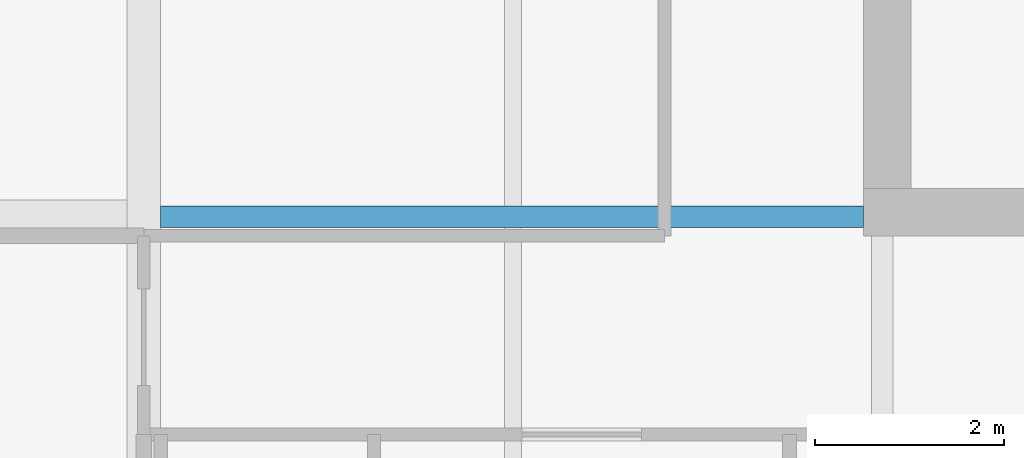
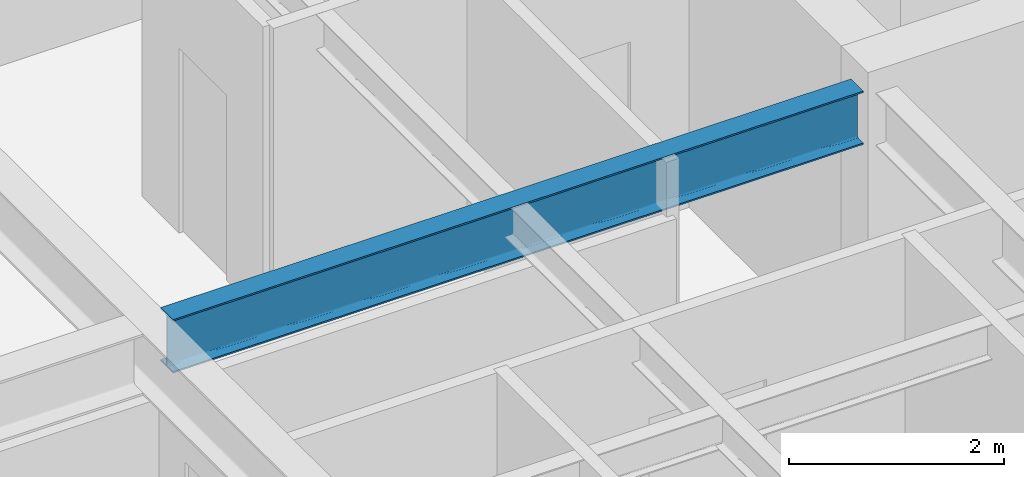
# One storey, part 8 of 32: 1 beam.
"""IFC4 building model written with IfcOpenShell, lengths in metres."""

import ifcopenshell
import ifcopenshell.guid

model = None  # the IFC model being written
_history = None  # IfcOwnerHistory: only IFC2X3 demands one
_inside = {}  # id of a spatial element -> (the spatial element, [elements in it])
_under = {}  # id of a project, library or spatial element -> (it, [spatial elements below it])
_declared = {}  # id of a project -> (the project, [libraries it declares])
_typed = {}  # id of a type object -> (the type object, [elements of that type])
_made_of = {}  # id of a material, layer set ... -> (it, [elements and type objects made of it])


def new_model(schema):
    """Start an empty IFC model of exactly this schema.

    Asked for "IFC4X3", IfcOpenShell would pick the latest addendum, in which some entities
    have other attributes; the version numbers below select the first issue.
    IFC2X3 requires an IfcOwnerHistory on every rooted entity: one is made here for all.
    """
    global model, _history
    if schema == "IFC4X3":
        model = ifcopenshell.file(schema_version=(4, 3, 0, 0))
    else:
        model = ifcopenshell.file(schema=schema)
    _inside.clear()
    _under.clear()
    _declared.clear()
    _typed.clear()
    _made_of.clear()
    _history = None
    if model.schema == "IFC2X3":
        org = make("IfcOrganization", Name="unknown")
        user = make(
            "IfcPersonAndOrganization",
            ThePerson=make("IfcPerson", FamilyName="unknown"),
            TheOrganization=org,
        )
        app = make(
            "IfcApplication",
            ApplicationDeveloper=org,
            Version="unknown",
            ApplicationFullName="unknown",
            ApplicationIdentifier="unknown",
        )
        _history = make(
            "IfcOwnerHistory",
            OwningUser=user,
            OwningApplication=app,
            ChangeAction="ADDED",
            CreationDate=0,
        )
    return model


def make(cls, **values):
    """One entity of the class cls with the attributes given. An attribute that is None is left unset."""
    return model.create_entity(
        cls, **{name: value for name, value in values.items() if value is not None}
    )


def rooted(cls, **values):
    """An entity with a GlobalId (a new one), such as an element, a storey or a relation."""
    return make(cls, GlobalId=ifcopenshell.guid.new(), OwnerHistory=_history, **values)


def si_unit(unit_type, name, prefix=None):
    """IfcSIUnit, for example si_unit("LENGTHUNIT", "METRE", prefix="MILLI")."""
    return make("IfcSIUnit", UnitType=unit_type, Prefix=prefix, Name=name)


def assignment(units):
    """IfcUnitAssignment: the units of a project."""
    return None if units is None else make("IfcUnitAssignment", Units=units)


def point(xyz):
    """IfcCartesianPoint."""
    return None if xyz is None else make("IfcCartesianPoint", Coordinates=xyz)


def direction(xyz):
    """IfcDirection."""
    return None if xyz is None else make("IfcDirection", DirectionRatios=xyz)


def frame(location, z_axis=None, x_axis=None):
    """IfcAxis2Placement3D, a coordinate frame: its origin and axes. An axis left out is left unset."""
    return make(
        "IfcAxis2Placement3D",
        Location=point(location),
        Axis=direction(z_axis),
        RefDirection=direction(x_axis),
    )


def frame_2d(location, x_axis=None):
    """IfcAxis2Placement2D, a coordinate frame in the plane: its origin and x axis."""
    return make(
        "IfcAxis2Placement2D", Location=point(location), RefDirection=direction(x_axis)
    )


def origin():
    """The frame at (0, 0, 0) with its axes left unset."""
    return frame((0.0, 0.0, 0.0))


def origin_2d():
    """The frame at (0, 0) in the plane with its x axis left unset."""
    return frame_2d((0.0, 0.0))


def place(relative_to, where):
    """IfcLocalPlacement: puts the frame where relative to a parent placement (None: the world)."""
    return make(
        "IfcLocalPlacement", PlacementRelTo=relative_to, RelativePlacement=where
    )


def context(
    kind, dimensions, precision=None, world=None, true_north=None, identifier=None
):
    """IfcGeometricRepresentationContext, for example the 3D "Model" context."""
    return make(
        "IfcGeometricRepresentationContext",
        ContextIdentifier=identifier,
        ContextType=kind,
        CoordinateSpaceDimension=dimensions,
        Precision=precision,
        WorldCoordinateSystem=world,
        TrueNorth=true_north,
    )


def subcontext(parent, identifier, kind, view, scale=None):
    """IfcGeometricRepresentationSubContext, for example "Body" below "Model"."""
    return make(
        "IfcGeometricRepresentationSubContext",
        ContextIdentifier=identifier,
        ContextType=kind,
        ParentContext=parent,
        TargetScale=scale,
        TargetView=view,
    )


def project(units=None, contexts=None):
    """IfcProject with its units and contexts."""
    return rooted(
        "IfcProject",
        Name="project",
        RepresentationContexts=contexts,
        UnitsInContext=assignment(units),
    )


def spatial(cls, under=None, at=None, **own):
    """A site, building, storey or space (cls), placed at a placement, below another one or the project."""
    s = rooted(cls, ObjectPlacement=at, **own)
    if under is not None:
        _under.setdefault(under.id(), (under, []))[1].append(s)
    return s


def profile(cls, at=None, kind="AREA", **sizes):
    """A parametric profile (cls). Its sizes go by their IFC names, for example OverallWidth=200.0."""
    return make(cls, ProfileType=kind, Position=at, **sizes)


def i_section(**sizes):
    """IfcIShapeProfileDef."""
    return profile("IfcIShapeProfileDef", **sizes)


def extrude(swept, where, along, depth):
    """IfcExtrudedAreaSolid: the profile swept, set in the frame where, extruded along a direction by depth."""
    return make(
        "IfcExtrudedAreaSolid",
        SweptArea=swept,
        Position=where,
        ExtrudedDirection=direction(along),
        Depth=depth,
    )


def shape(context_of_items, identifier, shape_type, items):
    """IfcShapeRepresentation: the items that make up one representation, for example the "Body"."""
    return make(
        "IfcShapeRepresentation",
        ContextOfItems=context_of_items,
        RepresentationIdentifier=identifier,
        RepresentationType=shape_type,
        Items=items,
    )


def material(Name=None, Category=None):
    """IfcMaterial."""
    return make("IfcMaterial", Name=Name, Category=Category)


def material_profile(
    of_material, cross_section, Name=None, Category=None, Priority=None
):
    """IfcMaterialProfile: a cross section and its material."""
    return make(
        "IfcMaterialProfile",
        Name=Name,
        Material=of_material,
        Profile=cross_section,
        Priority=Priority,
        Category=Category,
    )


def profile_set(profiles, Name=None, composite=None):
    """IfcMaterialProfileSet."""
    return make(
        "IfcMaterialProfileSet",
        Name=Name,
        MaterialProfiles=profiles,
        CompositeProfile=composite,
    )


def made_of(thing, what):
    """Note that an element or type object is made of a material, layer set ...; save() writes the relation."""
    if what is not None:
        _made_of.setdefault(what.id(), (what, []))[1].append(thing)
    return thing


def type_object(cls, material=None, **own):
    """A type object (cls), such as IfcWallType, which elements share."""
    return made_of(rooted(cls, **own), material)


def element(
    cls,
    number,
    at=None,
    inside=None,
    cuts=None,
    type_object=None,
    material=None,
    context=None,
    identifier="Body",
    shape_type=None,
    held_by="IfcProductDefinitionShape",
    body=None,
    shapes=None,
    **own,
):
    """One element of the class cls, such as IfcWall. Its Tag is "e" and its number.

    at: its placement. inside: the storey or other place that contains it. cuts: it is an
    opening in that element (IfcRelVoidsElement). A single representation is given by context,
    identifier, shape_type and body (its items); several are given by shapes. held_by: the class
    of the entity that holds the representations. save() writes the other relations.
    """
    e = rooted(cls, Tag="e%d" % number, ObjectPlacement=at, **own)
    if body is not None:
        shapes = [shape(context, identifier, shape_type, body)]
    if shapes is not None:
        e.Representation = make(held_by, Representations=shapes)
    if inside is not None:
        _inside.setdefault(inside.id(), (inside, []))[1].append(e)
    if cuts is not None:
        rooted(
            "IfcRelVoidsElement", RelatingBuildingElement=cuts, RelatedOpeningElement=e
        )
    if type_object is not None:
        _typed.setdefault(type_object.id(), (type_object, []))[1].append(e)
    return made_of(e, material)


def aggregate(whole, parts):
    """IfcRelAggregates: a whole, such as a stair, and the parts it consists of."""
    return rooted("IfcRelAggregates", RelatingObject=whole, RelatedObjects=parts)


def save(model, path):
    """Write the relations noted so far, then the file.

    IfcRelAggregates (storeys below a building ...), IfcRelContainedInSpatialStructure (elements
    in a storey), IfcRelDefinesByType, IfcRelAssociatesMaterial and IfcRelDeclares: one each for
    every whole, place, type object, material and project.
    """
    for whole, parts in _under.values():
        aggregate(whole, parts)
    for where, things in _inside.values():
        rooted(
            "IfcRelContainedInSpatialStructure",
            RelatedElements=things,
            RelatingStructure=where,
        )
    for kind, things in _typed.values():
        rooted("IfcRelDefinesByType", RelatedObjects=things, RelatingType=kind)
    for what, things in _made_of.values():
        rooted("IfcRelAssociatesMaterial", RelatedObjects=things, RelatingMaterial=what)
    for by, libraries in _declared.values():
        rooted("IfcRelDeclares", RelatingContext=by, RelatedDefinitions=libraries)
    model.write(path)


model = new_model("IFC4")

# Units and contexts
model_context = context("Model", 3, precision=1e-05, world=origin(), true_north=direction((0.0, 1.0)))
body_context = subcontext(model_context, "Body", "Model", "MODEL_VIEW")
ifc_project = project(units=[si_unit("LENGTHUNIT", "METRE"), si_unit("AREAUNIT", "SQUARE_METRE"), si_unit("VOLUMEUNIT", "CUBIC_METRE"), si_unit("PLANEANGLEUNIT", "RADIAN"), si_unit("MASSUNIT", "GRAM", prefix="KILO")], contexts=[model_context])

# Site, building, storey
site_placement = place(None, origin())
site = spatial("IfcSite", under=ifc_project, at=site_placement, CompositionType="ELEMENT")
building_placement = place(site_placement, origin())
building = spatial("IfcBuilding", under=site, at=building_placement, Name="Drelvath Grand Hotel", CompositionType="ELEMENT")
storey_placement = place(building_placement, frame((0.0, 0.0, 189.449951171875)))
storey = spatial("IfcBuildingStorey", under=building, at=storey_placement, Name="L49", CompositionType="ELEMENT", Elevation=189.449951171875)

# Beam
ifc_material = material(Name="Steel ASTM A992 Gr 50", Category="steel")
ifc_material_profile = material_profile(ifc_material, i_section(OverallWidth=0.228271484375, OverallDepth=0.607666015625, WebThickness=0.01123046875, FlangeThickness=0.017333984375, FilletRadius=0.02001953125, at=origin_2d()), Name="W24X76")
ifc_profile_set = profile_set([ifc_material_profile], Name="Steel ASTM A992 Gr 50")
beam_type = type_object("IfcBeamType", Name="Primary Floor Girder W24X76", PredefinedType="BEAM", material=ifc_profile_set)
beam_placement = place(storey_placement, frame((-16.022705078125, 18.60009765625, 2.986328125), z_axis=(1.0, 0.0, 0.0), x_axis=(0.0, 1.0, 0.0)))
element("IfcBeam", 1, at=beam_placement, inside=storey, type_object=beam_type, Name="L49 West Core Tie D", PredefinedType="BEAM", context=body_context, shape_type="SweptSolid", body=[
    extrude(i_section(OverallWidth=0.228271484375, OverallDepth=0.607666015625, WebThickness=0.01123046875, FlangeThickness=0.017333984375, FilletRadius=0.02001953125, at=origin_2d()), origin(), (0.0, 0.0, 1.0), 7.422607421875),
])

save(model, "model.ifc")
